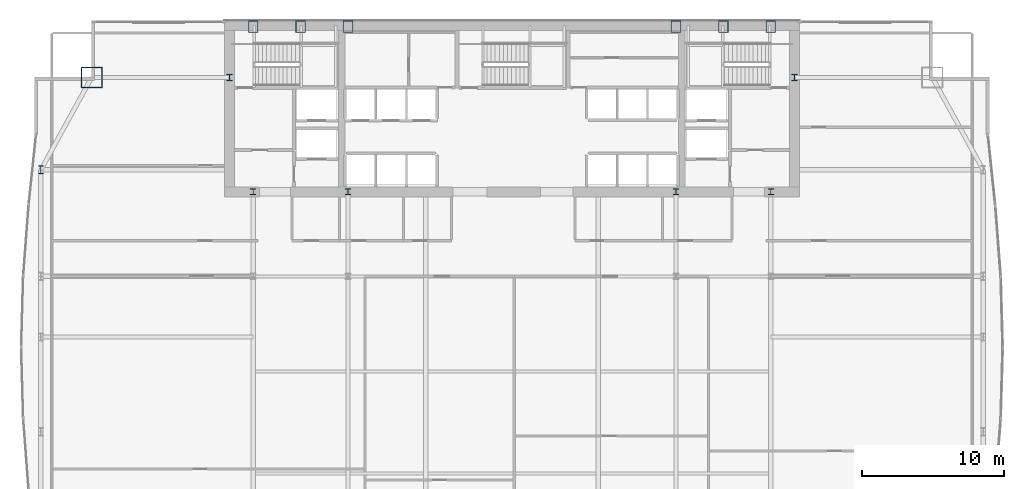
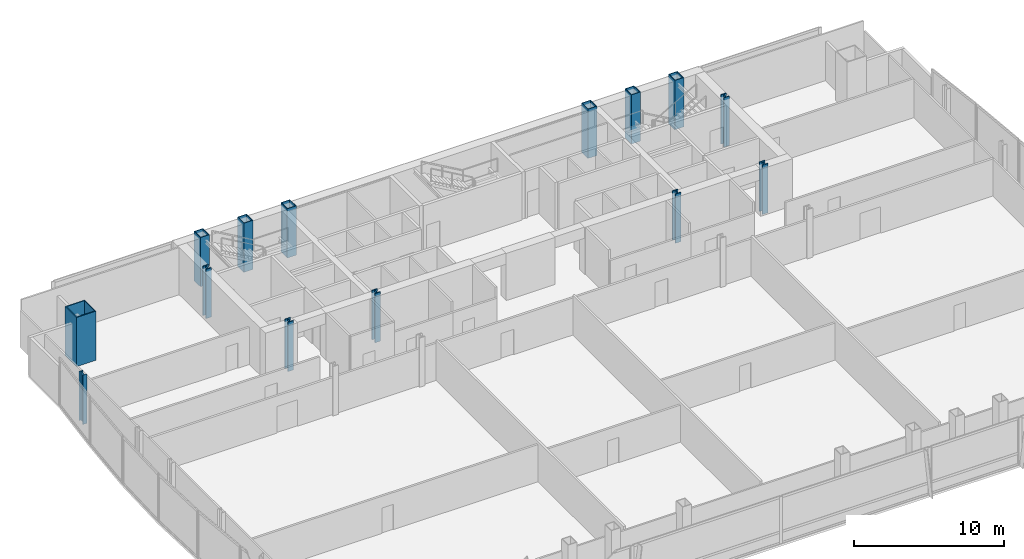
# One storey, part 3 of 30: 14 columns.
"""IFC4 building model written with IfcOpenShell, lengths in metres."""

from ifc_helpers import new_model, si_unit, direction, frame, origin, origin_2d, place, context, subcontext, project, spatial, hollow_rectangle, i_section, extrude, material, material_profile, profile_set, type_object, element, save


model = new_model("IFC4")

# Units and contexts
model_context = context("Model", 3, precision=1e-05, world=origin(), true_north=direction((0.0, 1.0)))
body_context = subcontext(model_context, "Body", "Model", "MODEL_VIEW")
ifc_project = project(units=[si_unit("LENGTHUNIT", "METRE"), si_unit("AREAUNIT", "SQUARE_METRE"), si_unit("VOLUMEUNIT", "CUBIC_METRE"), si_unit("PLANEANGLEUNIT", "RADIAN"), si_unit("MASSUNIT", "GRAM", prefix="KILO")], contexts=[model_context])

# Site, building, storey
site_placement = place(None, origin())
site = spatial("IfcSite", under=ifc_project, at=site_placement, CompositionType="ELEMENT")
building_placement = place(site_placement, origin())
building = spatial("IfcBuilding", under=site, at=building_placement, Name="Khoronbel Lancet Exchange", CompositionType="ELEMENT")
storey_placement = place(building_placement, frame((0.0, 0.0, 98.60009765625)))
storey = spatial("IfcBuildingStorey", under=building, at=storey_placement, Name="L23", CompositionType="ELEMENT", Elevation=98.60009765625)

# Columns
ifc_material_1 = material(Name="Steel S460", Category="steel")
ifc_material_profile_1 = material_profile(ifc_material_1, hollow_rectangle(XDim=0.699951171875, YDim=0.85009765625, WallThickness=0.050048828125, at=origin_2d()), Name="BOX 850x700x50")
ifc_profile_set_1 = profile_set([ifc_material_profile_1], Name="Steel S460")
column_type_1 = type_object("IfcColumnType", Name="COL-EC2", PredefinedType="COLUMN", material=ifc_profile_set_1)
for number, where, z_axis, x_axis, name in (
    (1, (18.22509765625, 53.280029296875, 0.0), (0.0, 0.0, 1.0), (1.0, 0.0, 0.0), "Structural column NC-W1 L23"),
    (2, (21.5625, 53.280029296875, 0.0), (0.0, 0.0, 1.0), (1.0, 0.0, 0.0), "Structural column NC-WM L23"),
    (3, (24.89990234375, 53.280029296875, 0.0), (0.0, 0.0, 1.0), (1.0, 0.0, 0.0), "Structural column NC-W2 L23"),
    (4, (48.0, 53.280029296875, 0.0), (0.0, 0.0, 1.0), (1.0, 0.0, 0.0), "Structural column NC-E1 L23"),
    (5, (51.33740234375, 53.280029296875, 0.0), (0.0, 0.0, 1.0), (1.0, 0.0, 0.0), "Structural column NC-EM L23"),
    (6, (54.675048828125, 53.280029296875, 0.0), (0.0, 0.0, 1.0), (1.0, 0.0, 0.0), "Structural column NC-E2 L23"),
):
    element("IfcColumn", number, at=place(storey_placement, frame(where, z_axis=z_axis, x_axis=x_axis)), inside=storey, type_object=column_type_1, Name=name, PredefinedType="COLUMN", context=body_context, shape_type="SweptSolid", body=[
        extrude(hollow_rectangle(XDim=0.699951171875, YDim=0.85009765625, WallThickness=0.050048828125, at=origin_2d()), origin(), (0.0, 0.0, 1.0), 4.0),
    ])
ifc_material_profile_2 = material_profile(ifc_material_1, i_section(OverallWidth=0.424072265625, OverallDepth=0.47412109375, WebThickness=0.047607421875, FlangeThickness=0.076904296875, at=origin_2d()), Name="HD 400x634")
ifc_profile_set_2 = profile_set([ifc_material_profile_2], Name="Steel S460")
column_type_2 = type_object("IfcColumnType", Name="COL-IC1", PredefinedType="COLUMN", material=ifc_profile_set_2)
for number, where, z_axis, x_axis, name in (
    (7, (16.550048828125, 49.699951171875, 0.0), (0.0, 0.0, 1.0), (1.0, 0.0, 0.0), "Core-flank plumb transfer column CFW L23"),
    (8, (56.35009765625, 49.699951171875, 0.0), (0.0, 0.0, 1.0), (1.0, 0.0, 0.0), "Core-flank plumb transfer column CFE L23"),
    (9, (18.22509765625, 41.64990234375, 0.0), (0.0, 0.0, 1.0), (1.0, 0.0, 0.0), "Core-embedded steel column CTC1 L23"),
    (10, (24.89990234375, 41.64990234375, 0.0), (0.0, 0.0, 1.0), (1.0, 0.0, 0.0), "Core-embedded steel column CTC2 L23"),
    (11, (48.0, 41.64990234375, 0.0), (0.0, 0.0, 1.0), (1.0, 0.0, 0.0), "Core-embedded steel column CTC3 L23"),
    (12, (54.675048828125, 41.64990234375, 0.0), (0.0, 0.0, 1.0), (1.0, 0.0, 0.0), "Core-embedded steel column CTC4 L23"),
):
    element("IfcColumn", number, at=place(storey_placement, frame(where, z_axis=z_axis, x_axis=x_axis)), inside=storey, type_object=column_type_2, Name=name, PredefinedType="COLUMN", context=body_context, shape_type="SweptSolid", body=[
        extrude(i_section(OverallWidth=0.424072265625, OverallDepth=0.47412109375, WebThickness=0.047607421875, FlangeThickness=0.076904296875, at=origin_2d()), origin(), (0.0, 0.0, 1.0), 4.0),
    ])
ifc_material_2 = material(Name="Steel S355", Category="steel")
ifc_material_profile_3 = material_profile(ifc_material_2, i_section(OverallWidth=0.300048828125, OverallDepth=0.550048828125, WebThickness=0.014892578125, FlangeThickness=0.029052734375, at=origin_2d()), Name="HEB 550")
ifc_profile_set_3 = profile_set([ifc_material_profile_3], Name="Steel S355")
column_type_3 = type_object("IfcColumnType", Name="COL-LC1", PredefinedType="COLUMN", material=ifc_profile_set_3)
column_1_placement = place(storey_placement, frame((3.27001953125, 43.199951171875, 0.0), z_axis=(0.0, 0.0, 1.0), x_axis=(1.0, 0.0, 0.0)))
element("IfcColumn", 13, at=column_1_placement, inside=storey, type_object=column_type_3, Name="Structural column WC-4 L23", PredefinedType="COLUMN", context=body_context, shape_type="SweptSolid", body=[
    extrude(i_section(OverallWidth=0.300048828125, OverallDepth=0.550048828125, WebThickness=0.014892578125, FlangeThickness=0.029052734375, at=origin_2d()), origin(), (0.0, 0.0, 1.0), 4.0),
])
ifc_material_profile_4 = material_profile(ifc_material_1, hollow_rectangle(XDim=1.5, YDim=1.5, WallThickness=0.070068359375, at=origin_2d()), Name="BOX 1500x1500x70")
ifc_profile_set_4 = profile_set([ifc_material_profile_4], Name="Steel S460")
column_type_4 = type_object("IfcColumnType", Name="COL-MC3", PredefinedType="COLUMN", material=ifc_profile_set_4)
column_2_placement = place(storey_placement, frame((6.85009765625, 49.699951171875, 0.0), z_axis=(0.0, 0.0, 1.0), x_axis=(1.0, 0.0, 0.0)))
element("IfcColumn", 14, at=column_2_placement, inside=storey, type_object=column_type_4, Name="Structural column MC-NW L23", PredefinedType="COLUMN", context=body_context, shape_type="SweptSolid", body=[
    extrude(hollow_rectangle(XDim=1.5, YDim=1.5, WallThickness=0.070068359375, at=origin_2d()), origin(), (0.0, 0.0, 1.0), 4.0),
])

save(model, "model.ifc")
